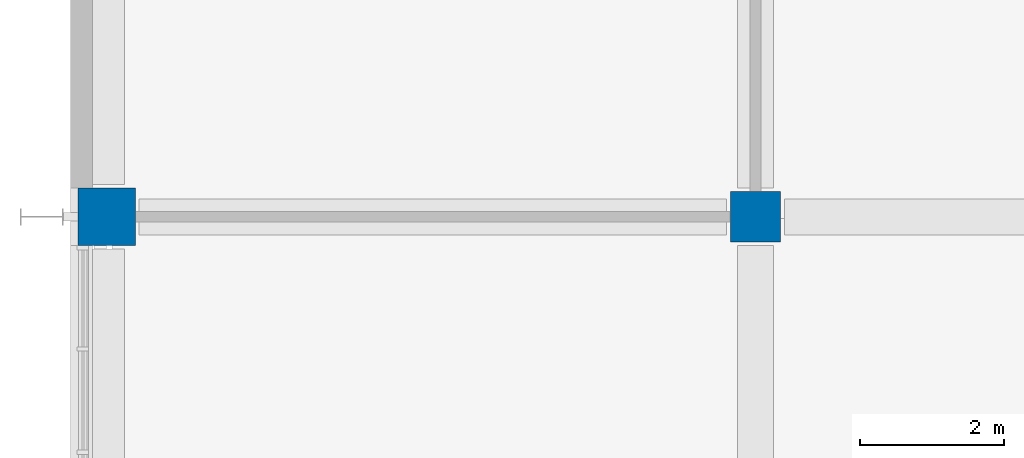
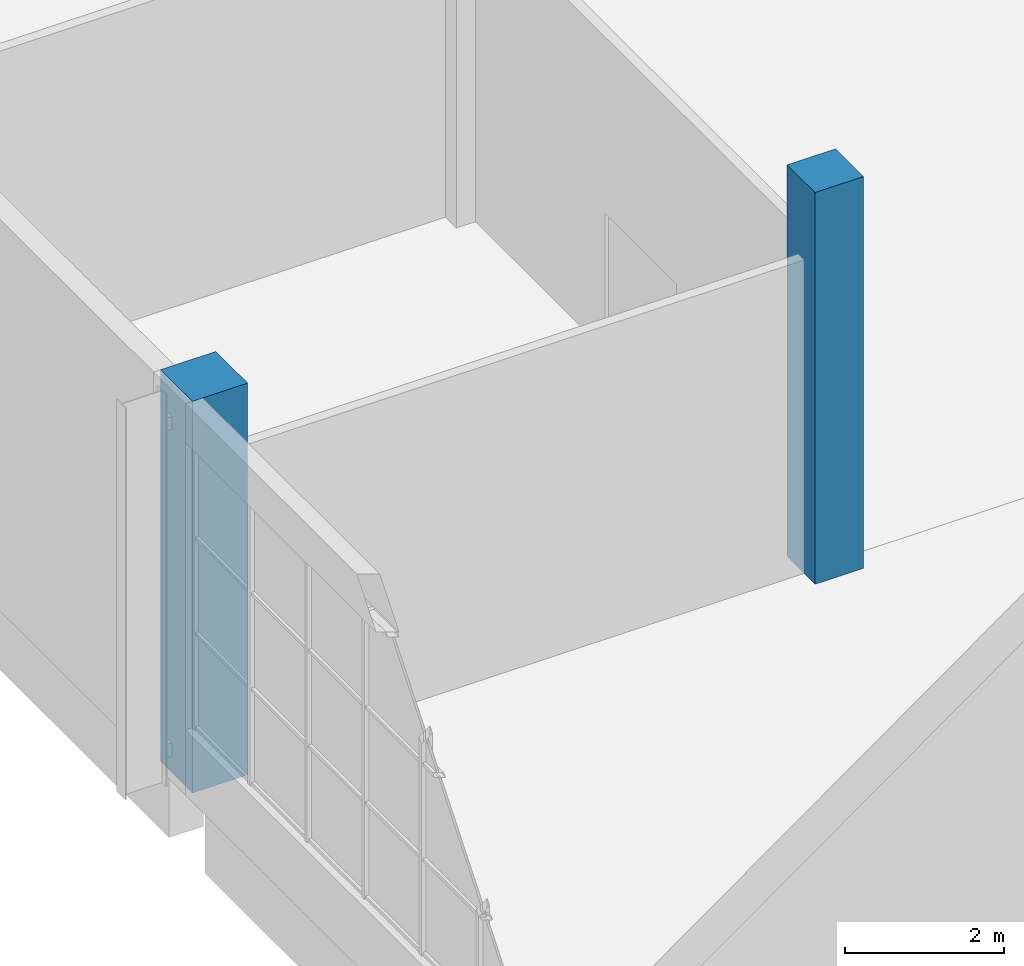
# One storey, part 1 of 89: 2 columns.
"""IFC4 building model written with IfcOpenShell, lengths in metres."""

from ifc_helpers import new_model, si_unit, direction, frame, origin, origin_2d, place, context, subcontext, project, spatial, rectangle, extrude, material, material_profile, profile_set, type_object, element, save


model = new_model("IFC4")

# Units and contexts
model_context = context("Model", 3, precision=1e-05, world=origin(), true_north=direction((0.0, 1.0)))
body_context = subcontext(model_context, "Body", "Model", "MODEL_VIEW")
ifc_project = project(units=[si_unit("LENGTHUNIT", "METRE"), si_unit("AREAUNIT", "SQUARE_METRE"), si_unit("VOLUMEUNIT", "CUBIC_METRE"), si_unit("PLANEANGLEUNIT", "RADIAN"), si_unit("MASSUNIT", "GRAM", prefix="KILO")], contexts=[model_context])

# Site, building, storey
site_placement = place(None, origin())
site = spatial("IfcSite", under=ifc_project, at=site_placement, CompositionType="ELEMENT")
building_placement = place(site_placement, origin())
building = spatial("IfcBuilding", under=site, at=building_placement, Name="Silverbay Arena", CompositionType="ELEMENT")
storey_placement = place(building_placement, frame((0.0, 0.0, 22.0)))
storey = spatial("IfcBuildingStorey", under=building, at=storey_placement, Name="L03", CompositionType="ELEMENT", Elevation=22.0)

# Columns
ifc_material_1 = material(Name="Concrete Grade C45", Category="concrete")
ifc_material_profile_1 = material_profile(ifc_material_1, rectangle(XDim=0.699951171875, YDim=0.699951171875, at=origin_2d()), Name="RC 700x700")
ifc_profile_set_1 = profile_set([ifc_material_profile_1], Name="Concrete Grade C45")
column_type_1 = type_object("IfcColumnType", Name="RC column 700x700", PredefinedType="COLUMN", material=ifc_profile_set_1)
column_1_placement = place(storey_placement, frame((63.0, 36.0, 0.0), z_axis=(0.0, 0.0, 1.0), x_axis=(1.0, 0.0, 0.0)))
element("IfcColumn", 1, at=column_1_placement, inside=storey, type_object=column_type_1, Name="Column 8/E L03", PredefinedType="COLUMN", context=body_context, shape_type="SweptSolid", body=[
    extrude(rectangle(XDim=0.699951171875, YDim=0.699951171875, at=origin_2d()), origin(), (0.0, 0.0, 1.0), 6.0),
])
ifc_material_2 = material(Name="Concrete Grade C45", Category="concrete")
ifc_material_profile_2 = material_profile(ifc_material_2, rectangle(XDim=0.800048828125, YDim=0.800048828125, at=origin_2d()), Name="RC 800x800")
ifc_profile_set_2 = profile_set([ifc_material_profile_2], Name="Concrete Grade C45")
column_type_2 = type_object("IfcColumnType", Name="RC column 800x800", PredefinedType="COLUMN", material=ifc_profile_set_2)
column_2_placement = place(storey_placement, frame((54.0, 36.0, 0.0), z_axis=(0.0, 0.0, 1.0), x_axis=(1.0, 0.0, 0.0)))
element("IfcColumn", 2, at=column_2_placement, inside=storey, type_object=column_type_2, Name="Column 7/E L03", PredefinedType="COLUMN", context=body_context, shape_type="SweptSolid", body=[
    extrude(rectangle(XDim=0.800048828125, YDim=0.800048828125, at=origin_2d()), origin(), (0.0, 0.0, 1.0), 6.0),
])

save(model, "model.ifc")
